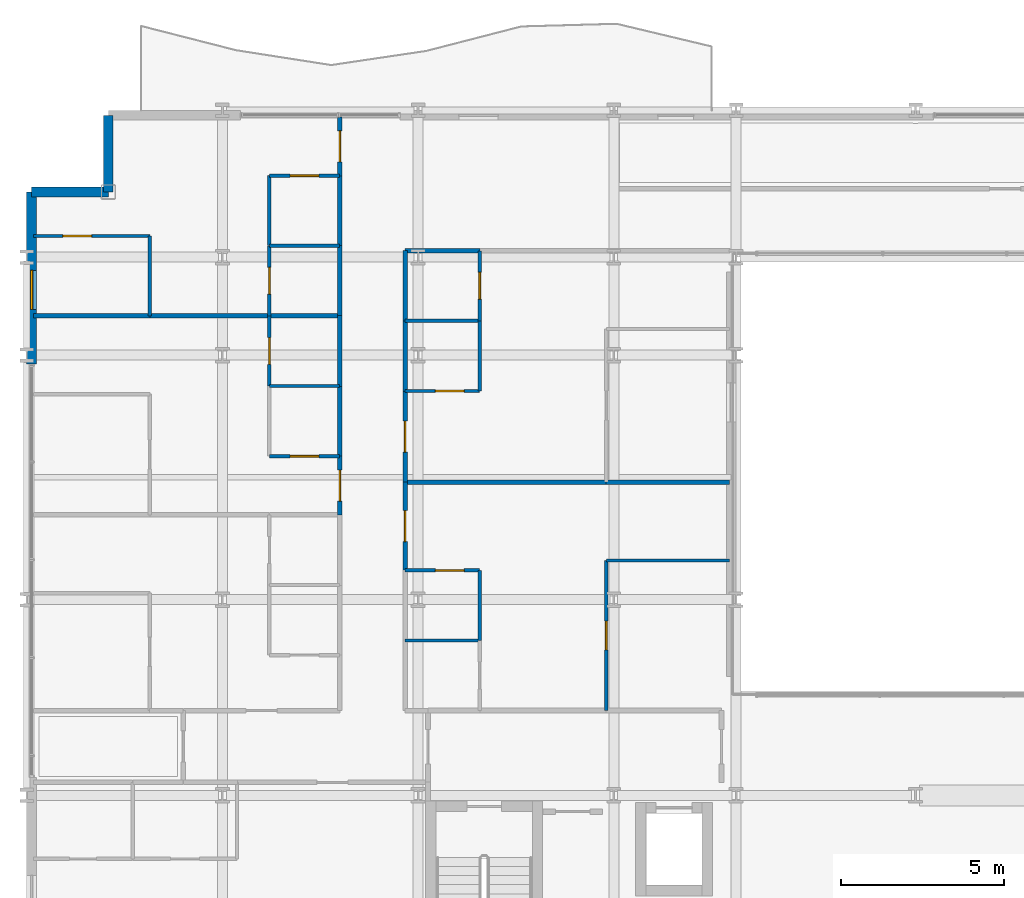
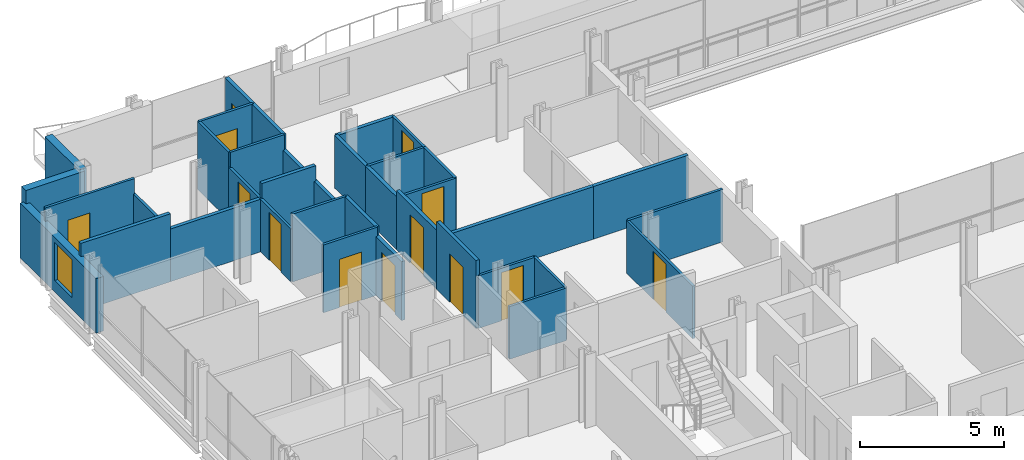
# One storey, part 33 of 40: 37 walls, 13 doors, 1 window, 14 openings.
"""IFC4 building model written with IfcOpenShell, lengths in metres."""

from ifc_helpers import new_model, si_unit, direction, frame, frame_2d, origin, place, context, subcontext, project, spatial, rectangle, extrude, material, layer, layer_set, type_object, element, fill, save


model = new_model("IFC4")

# Units and contexts
model_context = context("Model", 3, precision=1e-05, world=origin(), true_north=direction((0.0, 1.0)))
body_context = subcontext(model_context, "Body", "Model", "MODEL_VIEW")
ifc_project = project(units=[si_unit("LENGTHUNIT", "METRE"), si_unit("AREAUNIT", "SQUARE_METRE"), si_unit("VOLUMEUNIT", "CUBIC_METRE"), si_unit("PLANEANGLEUNIT", "RADIAN"), si_unit("MASSUNIT", "GRAM", prefix="KILO")], contexts=[model_context])

# Site, building, storey
site_placement = place(None, origin())
site = spatial("IfcSite", under=ifc_project, at=site_placement, CompositionType="ELEMENT")
building_placement = place(site_placement, origin())
building = spatial("IfcBuilding", under=site, at=building_placement, Name="Brevholm Reach", CompositionType="ELEMENT")
storey_placement = place(building_placement, frame((0.0, 0.0, 31.10009765625)))
storey = spatial("IfcBuildingStorey", under=building, at=storey_placement, Name="L07", CompositionType="ELEMENT", Elevation=31.10009765625)

# Walls
ifc_material_1 = material(Name="Concrete C40/50", Category="concrete")
ifc_layer_1 = layer(ifc_material_1, 0.300048828125)
ifc_layer_set_1 = layer_set([ifc_layer_1], Name="Concrete C40/50")
wall_type_1 = type_object("IfcWallType", Name="WAL-EXT-300", PredefinedType="STANDARD", material=ifc_layer_set_1)
for number, where, z_axis, x_axis, name in (
    (1, (2.5, 30.85009765625, 0.0), (0.0, 0.0, 1.0), (0.0, -1.0, 0.0), "L07 Facade Wall WAL-L07-CNW1"),
    (2, (2.5, 28.5, 0.0), (0.0, 0.0, 1.0), (-1.0, 0.0, 0.0), "L07 Facade Wall WAL-L07-CNW2"),
):
    element("IfcWall", number, at=place(storey_placement, frame(where, z_axis=z_axis, x_axis=x_axis)), inside=storey, type_object=wall_type_1, Name=name, PredefinedType="STANDARD", context=body_context, shape_type="SweptSolid", body=[
        extrude(rectangle(XDim=2.35009765625, YDim=0.300048828125, at=frame_2d((1.175048828125, 0.0))), origin(), (0.0, 0.0, 1.0), 2.869873046875),
    ])

# Wall, opening, window
wall_1_placement = place(storey_placement, frame((0.14990234375, 28.5, 0.0), z_axis=(0.0, 0.0, 1.0), x_axis=(0.0, -1.0, 0.0)))
wall_1 = element("IfcWall", 3, at=wall_1_placement, inside=storey, type_object=wall_type_1, Name="L07 Facade Wall WAL-L07-W-N", PredefinedType="STANDARD", context=body_context, shape_type="SweptSolid", body=[
    extrude(rectangle(XDim=5.280029296875, YDim=0.300048828125, at=frame_2d((2.64013671875, 0.0))), origin(), (0.0, 0.0, 1.0), 2.305419921875),
])
opening_1_placement = place(wall_1_placement, frame((2.39990234375, 0.0, 0.486083984375)))
opening_1 = element("IfcOpeningElement", 4, at=opening_1_placement, cuts=wall_1, Name="Opening WN-08", PredefinedType="OPENING", context=body_context, shape_type="SweptSolid", body=[
    extrude(rectangle(XDim=1.199951171875, YDim=1.60009765625, at=frame_2d((0.60009765625, 0.800048828125))), frame((0.0, 0.159912109375, 0.0), z_axis=(0.0, -1.0, 0.0), x_axis=(1.0, 0.0, 0.0)), (0.0, 0.0, 1.0), 0.320068359375),
])
ifc_material_2 = material(Name="Dark Anodised Aluminium and Solar-Control IGU Glass", Category="aluminium")
window_type = type_object("IfcWindowType", Name="WIN-RES-1200", PartitioningType="SINGLE_PANEL", PredefinedType="WINDOW", material=ifc_material_2)
window_placement = place(opening_1_placement, origin())
window = element("IfcWindow", 5, at=window_placement, inside=storey, type_object=window_type, Name="L07 Window WIN-L07-WN-1", OverallHeight=1.60009765625, OverallWidth=1.199951171875, PartitioningType="SINGLE_PANEL", PredefinedType="WINDOW", context=body_context, shape_type="SweptSolid", body=[
    extrude(rectangle(XDim=1.199951171875, YDim=1.60009765625, at=frame_2d((0.60009765625, 0.800048828125))), frame((0.0, 0.030029296875, 0.0), z_axis=(0.0, -1.0, 0.0), x_axis=(1.0, 0.0, 0.0)), (0.0, 0.0, 1.0), 0.06005859375),
])
fill(opening_1, window)

# Wall
ifc_material_3 = material(Name="Moisture-Resistant Acoustic Gypsum Stud Partition 100 mm", Category="gypsum")
ifc_layer_2 = layer(ifc_material_3, 0.10009765625)
ifc_layer_set_2 = layer_set([ifc_layer_2], Name="Moisture-Resistant Acoustic Gypsum Stud Partition 100 mm")
wall_type_2 = type_object("IfcWallType", Name="WAL-PRT-100", PredefinedType="PARTITIONING", material=ifc_layer_set_2)
wall_2_placement = place(storey_placement, frame((7.43798828125, 22.550048828125, 0.0), z_axis=(0.0, 0.0, 1.0), x_axis=(1.0, 0.0, 0.0)))
element("IfcWall", 6, at=wall_2_placement, inside=storey, type_object=wall_type_2, Name="L07 Internal Partition 100", PredefinedType="PARTITIONING", context=body_context, shape_type="SweptSolid", body=[
    extrude(rectangle(XDim=2.157958984375, YDim=0.10009765625, at=frame_2d((1.0791015625, 0.0))), origin(), (0.0, 0.0, 1.0), 2.869873046875),
])

# Wall, opening, door
wall_3_placement = place(storey_placement, frame((7.43798828125, 22.550048828125, 0.0), z_axis=(0.0, 0.0, 1.0), x_axis=(0.0, 1.0, 0.0)))
wall_3 = element("IfcWall", 7, at=wall_3_placement, inside=storey, type_object=wall_type_2, Name="L07 Internal Partition 101", PredefinedType="PARTITIONING", context=body_context, shape_type="SweptSolid", body=[
    extrude(rectangle(XDim=2.14990234375, YDim=0.10009765625, at=frame_2d((1.074951171875, 0.0))), origin(), (0.0, 0.0, 1.0), 2.224609375),
])
opening_2_placement = place(wall_3_placement, frame((0.6650390625, 0.0, 0.0)))
opening_2 = element("IfcOpeningElement", 8, at=opening_2_placement, cuts=wall_3, Name="Opening ID-03", PredefinedType="OPENING", context=body_context, shape_type="SweptSolid", body=[
    extrude(rectangle(XDim=0.820068359375, YDim=2.02001953125, at=frame_2d((0.41015625, 1.010009765625))), frame((0.0, 0.06005859375, 0.0), z_axis=(0.0, -1.0, 0.0), x_axis=(1.0, 0.0, 0.0)), (0.0, 0.0, 1.0), 0.1201171875),
])
ifc_material_4 = material(Name="Moisture-Resistant Painted Timber Internal Bathroom Door", Category="wood")
door_type_1 = type_object("IfcDoorType", Name="DOR-BATH-820", OperationType="NOTDEFINED", PredefinedType="DOOR", material=ifc_material_4)
door_1_placement = place(opening_2_placement, origin())
door_1 = element("IfcDoor", 9, at=door_1_placement, inside=storey, type_object=door_type_1, Name="L07 Internal Door 036", OperationType="SINGLE_SWING_LEFT", OverallHeight=2.02001953125, OverallWidth=0.820068359375, PredefinedType="DOOR", context=body_context, shape_type="SweptSolid", body=[
    extrude(rectangle(XDim=0.820068359375, YDim=2.02001953125, at=frame_2d((0.41015625, 1.010009765625))), frame((0.0, 0.02490234375, 0.0), z_axis=(0.0, -1.0, 0.0), x_axis=(1.0, 0.0, 0.0)), (0.0, 0.0, 1.0), 0.050048828125),
])
fill(opening_2, door_1)

wall_4_placement = place(storey_placement, frame((7.43798828125, 20.39990234375, 0.0), z_axis=(0.0, 0.0, 1.0), x_axis=(1.0, 0.0, 0.0)))
wall_4 = element("IfcWall", 10, at=wall_4_placement, inside=storey, type_object=wall_type_2, Name="L07 Internal Partition 103", PredefinedType="PARTITIONING", context=body_context, shape_type="SweptSolid", body=[
    extrude(rectangle(XDim=2.157958984375, YDim=0.10009765625, at=frame_2d((1.0791015625, 0.0))), origin(), (0.0, 0.0, 1.0), 2.869873046875),
])
opening_3_placement = place(wall_4_placement, frame((0.638916015625, 0.0, 0.0)))
opening_3 = element("IfcOpeningElement", 11, at=opening_3_placement, cuts=wall_4, Name="Opening ID-01", PredefinedType="OPENING", context=body_context, shape_type="SweptSolid", body=[
    extrude(rectangle(XDim=0.8798828125, YDim=2.0400390625, at=frame_2d((0.43994140625, 1.02001953125))), frame((0.0, 0.06005859375, 0.0), z_axis=(0.0, -1.0, 0.0), x_axis=(1.0, 0.0, 0.0)), (0.0, 0.0, 1.0), 0.1201171875),
])
ifc_material_5 = material(Name="Lacquered Ash Solid-Core Acoustic Internal Door", Category="timber")
door_type_2 = type_object("IfcDoorType", Name="DOR-INT-880", OperationType="NOTDEFINED", PredefinedType="DOOR", material=ifc_material_5)
door_2_placement = place(opening_3_placement, origin())
door_2 = element("IfcDoor", 12, at=door_2_placement, inside=storey, type_object=door_type_2, Name="L07 Internal Door 037", OperationType="SINGLE_SWING_RIGHT", OverallHeight=2.0400390625, OverallWidth=0.8798828125, PredefinedType="DOOR", context=body_context, shape_type="SweptSolid", body=[
    extrude(rectangle(XDim=0.8798828125, YDim=2.0400390625, at=frame_2d((0.43994140625, 1.02001953125))), frame((0.0, 0.02490234375, 0.0), z_axis=(0.0, -1.0, 0.0), x_axis=(1.0, 0.0, 0.0)), (0.0, 0.0, 1.0), 0.050048828125),
])
fill(opening_3, door_2)

# Wall
wall_5_placement = place(storey_placement, frame((7.43798828125, 26.85009765625, 0.0), z_axis=(0.0, 0.0, 1.0), x_axis=(1.0, 0.0, 0.0)))
element("IfcWall", 13, at=wall_5_placement, inside=storey, type_object=wall_type_2, Name="L07 Internal Partition 109", PredefinedType="PARTITIONING", context=body_context, shape_type="SweptSolid", body=[
    extrude(rectangle(XDim=2.157958984375, YDim=0.10009765625, at=frame_2d((1.0791015625, 0.0))), origin(), (0.0, 0.0, 1.0), 2.869873046875),
])

# Wall, opening, door
wall_6_placement = place(storey_placement, frame((7.43798828125, 24.7041015625, 0.0), z_axis=(0.0, 0.0, 1.0), x_axis=(0.0, 1.0, 0.0)))
wall_6 = element("IfcWall", 14, at=wall_6_placement, inside=storey, type_object=wall_type_2, Name="L07 Internal Partition 110", PredefinedType="PARTITIONING", context=body_context, shape_type="SweptSolid", body=[
    extrude(rectangle(XDim=2.14599609375, YDim=0.10009765625, at=frame_2d((1.072998046875, 0.0))), origin(), (0.0, 0.0, 1.0), 2.224609375),
])
opening_4_placement = place(wall_6_placement, frame((0.6630859375, 0.0, 0.0)))
opening_4 = element("IfcOpeningElement", 15, at=opening_4_placement, cuts=wall_6, Name="Opening ID-03", PredefinedType="OPENING", context=body_context, shape_type="SweptSolid", body=[
    extrude(rectangle(XDim=0.820068359375, YDim=2.02001953125, at=frame_2d((0.41015625, 1.010009765625))), frame((0.0, 0.06005859375, 0.0), z_axis=(0.0, -1.0, 0.0), x_axis=(1.0, 0.0, 0.0)), (0.0, 0.0, 1.0), 0.1201171875),
])
door_3_placement = place(opening_4_placement, origin())
door_3 = element("IfcDoor", 16, at=door_3_placement, inside=storey, type_object=door_type_1, Name="L07 Internal Door 039", OperationType="SINGLE_SWING_RIGHT", OverallHeight=2.02001953125, OverallWidth=0.820068359375, PredefinedType="DOOR", context=body_context, shape_type="SweptSolid", body=[
    extrude(rectangle(XDim=0.820068359375, YDim=2.02001953125, at=frame_2d((0.41015625, 1.010009765625))), frame((0.0, 0.02490234375, 0.0), z_axis=(0.0, -1.0, 0.0), x_axis=(1.0, 0.0, 0.0)), (0.0, 0.0, 1.0), 0.050048828125),
])
fill(opening_4, door_3)

wall_7_placement = place(storey_placement, frame((7.43798828125, 29.0, 0.0), z_axis=(0.0, 0.0, 1.0), x_axis=(1.0, 0.0, 0.0)))
wall_7 = element("IfcWall", 17, at=wall_7_placement, inside=storey, type_object=wall_type_2, Name="L07 Internal Partition 111", PredefinedType="PARTITIONING", context=body_context, shape_type="SweptSolid", body=[
    extrude(rectangle(XDim=2.157958984375, YDim=0.10009765625, at=frame_2d((1.0791015625, 0.0))), origin(), (0.0, 0.0, 1.0), 2.869873046875),
])
opening_5_placement = place(wall_7_placement, frame((0.638916015625, 0.0, 0.0)))
opening_5 = element("IfcOpeningElement", 18, at=opening_5_placement, cuts=wall_7, Name="Opening ID-01", PredefinedType="OPENING", context=body_context, shape_type="SweptSolid", body=[
    extrude(rectangle(XDim=0.8798828125, YDim=2.0400390625, at=frame_2d((0.43994140625, 1.02001953125))), frame((0.0, 0.06005859375, 0.0), z_axis=(0.0, -1.0, 0.0), x_axis=(1.0, 0.0, 0.0)), (0.0, 0.0, 1.0), 0.1201171875),
])
door_4_placement = place(opening_5_placement, origin())
door_4 = element("IfcDoor", 19, at=door_4_placement, inside=storey, type_object=door_type_2, Name="L07 Internal Door 040", OperationType="SINGLE_SWING_LEFT", OverallHeight=2.0400390625, OverallWidth=0.8798828125, PredefinedType="DOOR", context=body_context, shape_type="SweptSolid", body=[
    extrude(rectangle(XDim=0.8798828125, YDim=2.0400390625, at=frame_2d((0.43994140625, 1.02001953125))), frame((0.0, 0.02490234375, 0.0), z_axis=(0.0, -1.0, 0.0), x_axis=(1.0, 0.0, 0.0)), (0.0, 0.0, 1.0), 0.050048828125),
])
fill(opening_5, door_4)

# Walls
wall_8_placement = place(storey_placement, frame((7.43798828125, 26.85400390625, 0.0), z_axis=(0.0, 0.0, 1.0), x_axis=(0.0, 1.0, 0.0)))
element("IfcWall", 20, at=wall_8_placement, inside=storey, type_object=wall_type_2, Name="L07 Internal Partition 112", PredefinedType="PARTITIONING", context=body_context, shape_type="SweptSolid", body=[
    extrude(rectangle(XDim=2.14599609375, YDim=0.10009765625, at=frame_2d((1.072998046875, 0.0))), origin(), (0.0, 0.0, 1.0), 2.869873046875),
])
wall_9_placement = place(storey_placement, frame((3.77197265625, 24.7041015625, 0.0), z_axis=(0.0, 0.0, 1.0), x_axis=(0.0, 1.0, 0.0)))
element("IfcWall", 21, at=wall_9_placement, inside=storey, type_object=wall_type_2, Name="L07 Internal Partition 113", PredefinedType="PARTITIONING", context=body_context, shape_type="SweptSolid", body=[
    extrude(rectangle(XDim=2.44580078125, YDim=0.10009765625, at=frame_2d((1.222900390625, 0.0))), origin(), (0.0, 0.0, 1.0), 2.224609375),
])

# Wall, opening, door
wall_10_placement = place(storey_placement, frame((0.199951171875, 27.14990234375, 0.0), z_axis=(0.0, 0.0, 1.0), x_axis=(1.0, 0.0, 0.0)))
wall_10 = element("IfcWall", 22, at=wall_10_placement, inside=storey, type_object=wall_type_2, Name="L07 Internal Partition 114", PredefinedType="PARTITIONING", context=body_context, shape_type="SweptSolid", body=[
    extrude(rectangle(XDim=3.572021484375, YDim=0.10009765625, at=frame_2d((1.7861328125, 0.0))), origin(), (0.0, 0.0, 1.0), 2.869873046875),
])
opening_6_placement = place(wall_10_placement, frame((0.906005859375, 0.0, 0.0)))
opening_6 = element("IfcOpeningElement", 23, at=opening_6_placement, cuts=wall_10, Name="Opening ID-01", PredefinedType="OPENING", context=body_context, shape_type="SweptSolid", body=[
    extrude(rectangle(XDim=0.8798828125, YDim=2.0400390625, at=frame_2d((0.43994140625, 1.02001953125))), frame((0.0, 0.06005859375, 0.0), z_axis=(0.0, -1.0, 0.0), x_axis=(1.0, 0.0, 0.0)), (0.0, 0.0, 1.0), 0.1201171875),
])
door_5_placement = place(opening_6_placement, origin())
door_5 = element("IfcDoor", 24, at=door_5_placement, inside=storey, type_object=door_type_2, Name="L07 Internal Door 041", OperationType="SINGLE_SWING_RIGHT", OverallHeight=2.0400390625, OverallWidth=0.8798828125, PredefinedType="DOOR", context=body_context, shape_type="SweptSolid", body=[
    extrude(rectangle(XDim=0.8798828125, YDim=2.0400390625, at=frame_2d((0.43994140625, 1.02001953125))), frame((0.0, 0.02490234375, 0.0), z_axis=(0.0, -1.0, 0.0), x_axis=(1.0, 0.0, 0.0)), (0.0, 0.0, 1.0), 0.050048828125),
])
fill(opening_6, door_5)

# Walls
wall_11_placement = place(storey_placement, frame((11.60400390625, 14.75, 0.0), z_axis=(0.0, 0.0, 1.0), x_axis=(1.0, 0.0, 0.0)))
element("IfcWall", 25, at=wall_11_placement, inside=storey, type_object=wall_type_2, Name="L07 Internal Partition 115", PredefinedType="PARTITIONING", context=body_context, shape_type="SweptSolid", body=[
    extrude(rectangle(XDim=2.284912109375, YDim=0.10009765625, at=frame_2d((1.142578125, 0.0))), origin(), (0.0, 0.0, 1.0), 2.224609375),
])
wall_12_placement = place(storey_placement, frame((13.888916015625, 14.75390625, 0.0), z_axis=(0.0, 0.0, 1.0), x_axis=(0.0, 1.0, 0.0)))
element("IfcWall", 26, at=wall_12_placement, inside=storey, type_object=wall_type_2, Name="L07 Internal Partition 117", PredefinedType="PARTITIONING", context=body_context, shape_type="SweptSolid", body=[
    extrude(rectangle(XDim=2.14599609375, YDim=0.10009765625, at=frame_2d((1.072998046875, 0.0))), origin(), (0.0, 0.0, 1.0), 2.224609375),
])

# Wall, opening, door
wall_13_placement = place(storey_placement, frame((11.60400390625, 16.89990234375, 0.0), z_axis=(0.0, 0.0, 1.0), x_axis=(1.0, 0.0, 0.0)))
wall_13 = element("IfcWall", 27, at=wall_13_placement, inside=storey, type_object=wall_type_2, Name="L07 Internal Partition 118", PredefinedType="PARTITIONING", context=body_context, shape_type="SweptSolid", body=[
    extrude(rectangle(XDim=2.284912109375, YDim=0.10009765625, at=frame_2d((1.142578125, 0.0))), origin(), (0.0, 0.0, 1.0), 2.224609375),
])
opening_7_placement = place(wall_13_placement, frame((0.922607421875, 0.0, 0.0)))
opening_7 = element("IfcOpeningElement", 28, at=opening_7_placement, cuts=wall_13, Name="Opening ID-01", PredefinedType="OPENING", context=body_context, shape_type="SweptSolid", body=[
    extrude(rectangle(XDim=0.8798828125, YDim=2.0400390625, at=frame_2d((0.43994140625, 1.02001953125))), frame((0.0, 0.06005859375, 0.0), z_axis=(0.0, -1.0, 0.0), x_axis=(1.0, 0.0, 0.0)), (0.0, 0.0, 1.0), 0.1201171875),
])
door_6_placement = place(opening_7_placement, origin())
door_6 = element("IfcDoor", 29, at=door_6_placement, inside=storey, type_object=door_type_2, Name="L07 Internal Door 043", OperationType="SINGLE_SWING_RIGHT", OverallHeight=2.0400390625, OverallWidth=0.8798828125, PredefinedType="DOOR", context=body_context, shape_type="SweptSolid", body=[
    extrude(rectangle(XDim=0.8798828125, YDim=2.0400390625, at=frame_2d((0.43994140625, 1.02001953125))), frame((0.0, 0.02490234375, 0.0), z_axis=(0.0, -1.0, 0.0), x_axis=(1.0, 0.0, 0.0)), (0.0, 0.0, 1.0), 0.050048828125),
])
fill(opening_7, door_6)

# Wall
wall_14_placement = place(storey_placement, frame((17.76904296875, 17.199951171875, 0.0), z_axis=(0.0, 0.0, 1.0), x_axis=(1.0, 0.0, 0.0)))
element("IfcWall", 30, at=wall_14_placement, inside=storey, type_object=wall_type_2, Name="L07 Internal Partition 119", PredefinedType="PARTITIONING", context=body_context, shape_type="SweptSolid", body=[
    extrude(rectangle(XDim=3.781005859375, YDim=0.10009765625, at=frame_2d((1.890625, 0.0))), origin(), (0.0, 0.0, 1.0), 2.224609375),
])

# Wall, opening, door
wall_15_placement = place(storey_placement, frame((17.76904296875, 12.60400390625, 0.0), z_axis=(0.0, 0.0, 1.0), x_axis=(0.0, 1.0, 0.0)))
wall_15 = element("IfcWall", 31, at=wall_15_placement, inside=storey, type_object=wall_type_2, Name="L07 Internal Partition 120", PredefinedType="PARTITIONING", context=body_context, shape_type="SweptSolid", body=[
    extrude(rectangle(XDim=4.595947265625, YDim=0.10009765625, at=frame_2d((2.2978515625, 0.0))), origin(), (0.0, 0.0, 1.0), 2.224609375),
])
opening_8_placement = place(wall_15_placement, frame((1.85791015625, 0.0, 0.0)))
opening_8 = element("IfcOpeningElement", 32, at=opening_8_placement, cuts=wall_15, Name="Opening ID-01", PredefinedType="OPENING", context=body_context, shape_type="SweptSolid", body=[
    extrude(rectangle(XDim=0.8798828125, YDim=2.0400390625, at=frame_2d((0.43994140625, 1.02001953125))), frame((0.0, 0.06005859375, 0.0), z_axis=(0.0, -1.0, 0.0), x_axis=(1.0, 0.0, 0.0)), (0.0, 0.0, 1.0), 0.1201171875),
])
door_7_placement = place(opening_8_placement, origin())
door_7 = element("IfcDoor", 33, at=door_7_placement, inside=storey, type_object=door_type_2, Name="L07 Internal Door 044", OperationType="SINGLE_SWING_LEFT", OverallHeight=2.0400390625, OverallWidth=0.8798828125, PredefinedType="DOOR", context=body_context, shape_type="SweptSolid", body=[
    extrude(rectangle(XDim=0.8798828125, YDim=2.0400390625, at=frame_2d((0.43994140625, 1.02001953125))), frame((0.0, 0.02490234375, 0.0), z_axis=(0.0, -1.0, 0.0), x_axis=(1.0, 0.0, 0.0)), (0.0, 0.0, 1.0), 0.050048828125),
])
fill(opening_8, door_7)

# Wall
wall_16_placement = place(storey_placement, frame((11.60400390625, 24.550048828125, 0.0), z_axis=(0.0, 0.0, 1.0), x_axis=(1.0, 0.0, 0.0)))
element("IfcWall", 34, at=wall_16_placement, inside=storey, type_object=wall_type_2, Name="L07 Internal Partition 123", PredefinedType="PARTITIONING", context=body_context, shape_type="SweptSolid", body=[
    extrude(rectangle(XDim=2.284912109375, YDim=0.10009765625, at=frame_2d((1.142578125, 0.0))), origin(), (0.0, 0.0, 1.0), 2.224609375),
])

# Wall, opening, door
wall_17_placement = place(storey_placement, frame((13.888916015625, 24.550048828125, 0.0), z_axis=(0.0, 0.0, 1.0), x_axis=(0.0, 1.0, 0.0)))
wall_17 = element("IfcWall", 35, at=wall_17_placement, inside=storey, type_object=wall_type_2, Name="L07 Internal Partition 124", PredefinedType="PARTITIONING", context=body_context, shape_type="SweptSolid", body=[
    extrude(rectangle(XDim=2.14599609375, YDim=0.10009765625, at=frame_2d((1.072998046875, 0.0))), origin(), (0.0, 0.0, 1.0), 2.224609375),
])
opening_9_placement = place(wall_17_placement, frame((0.6630859375, 0.0, 0.0)))
opening_9 = element("IfcOpeningElement", 36, at=opening_9_placement, cuts=wall_17, Name="Opening ID-03", PredefinedType="OPENING", context=body_context, shape_type="SweptSolid", body=[
    extrude(rectangle(XDim=0.820068359375, YDim=2.02001953125, at=frame_2d((0.41015625, 1.010009765625))), frame((0.0, 0.06005859375, 0.0), z_axis=(0.0, -1.0, 0.0), x_axis=(1.0, 0.0, 0.0)), (0.0, 0.0, 1.0), 0.1201171875),
])
door_8_placement = place(opening_9_placement, origin())
door_8 = element("IfcDoor", 37, at=door_8_placement, inside=storey, type_object=door_type_1, Name="L07 Internal Door 045", OperationType="SINGLE_SWING_RIGHT", OverallHeight=2.02001953125, OverallWidth=0.820068359375, PredefinedType="DOOR", context=body_context, shape_type="SweptSolid", body=[
    extrude(rectangle(XDim=0.820068359375, YDim=2.02001953125, at=frame_2d((0.41015625, 1.010009765625))), frame((0.0, 0.02490234375, 0.0), z_axis=(0.0, -1.0, 0.0), x_axis=(1.0, 0.0, 0.0)), (0.0, 0.0, 1.0), 0.050048828125),
])
fill(opening_9, door_8)

wall_18_placement = place(storey_placement, frame((11.60400390625, 22.39990234375, 0.0), z_axis=(0.0, 0.0, 1.0), x_axis=(1.0, 0.0, 0.0)))
wall_18 = element("IfcWall", 38, at=wall_18_placement, inside=storey, type_object=wall_type_2, Name="L07 Internal Partition 125", PredefinedType="PARTITIONING", context=body_context, shape_type="SweptSolid", body=[
    extrude(rectangle(XDim=2.284912109375, YDim=0.10009765625, at=frame_2d((1.142578125, 0.0))), origin(), (0.0, 0.0, 1.0), 2.224609375),
])
opening_10_placement = place(wall_18_placement, frame((0.922607421875, 0.0, 0.0)))
opening_10 = element("IfcOpeningElement", 39, at=opening_10_placement, cuts=wall_18, Name="Opening ID-01", PredefinedType="OPENING", context=body_context, shape_type="SweptSolid", body=[
    extrude(rectangle(XDim=0.8798828125, YDim=2.0400390625, at=frame_2d((0.43994140625, 1.02001953125))), frame((0.0, 0.06005859375, 0.0), z_axis=(0.0, -1.0, 0.0), x_axis=(1.0, 0.0, 0.0)), (0.0, 0.0, 1.0), 0.1201171875),
])
door_9_placement = place(opening_10_placement, origin())
door_9 = element("IfcDoor", 40, at=door_9_placement, inside=storey, type_object=door_type_2, Name="L07 Internal Door 046", OperationType="SINGLE_SWING_LEFT", OverallHeight=2.0400390625, OverallWidth=0.8798828125, PredefinedType="DOOR", context=body_context, shape_type="SweptSolid", body=[
    extrude(rectangle(XDim=0.8798828125, YDim=2.0400390625, at=frame_2d((0.43994140625, 1.02001953125))), frame((0.0, 0.02490234375, 0.0), z_axis=(0.0, -1.0, 0.0), x_axis=(1.0, 0.0, 0.0)), (0.0, 0.0, 1.0), 0.050048828125),
])
fill(opening_10, door_9)

# Walls
wall_19_placement = place(storey_placement, frame((13.888916015625, 22.39990234375, 0.0), z_axis=(0.0, 0.0, 1.0), x_axis=(0.0, 1.0, 0.0)))
element("IfcWall", 41, at=wall_19_placement, inside=storey, type_object=wall_type_2, Name="L07 Internal Partition 126", PredefinedType="PARTITIONING", context=body_context, shape_type="SweptSolid", body=[
    extrude(rectangle(XDim=2.14599609375, YDim=0.10009765625, at=frame_2d((1.072998046875, 0.0))), origin(), (0.0, 0.0, 1.0), 2.224609375),
])
ifc_material_6 = material(Name="Twin-Stud Acoustic Fire-Rated Gypsum Partition 140 mm", Category="gypsum")
ifc_layer_3 = layer(ifc_material_6, 0.139892578125)
ifc_layer_set_3 = layer_set([ifc_layer_3], Name="Twin-Stud Acoustic Fire-Rated Gypsum Partition 140 mm")
wall_type_3 = type_object("IfcWallType", Name="WAL-PRT-140", PredefinedType="PARTITIONING", material=ifc_layer_set_3)
wall_20_placement = place(storey_placement, frame((9.60009765625, 22.538818359375, 0.0), z_axis=(0.0, 0.0, 1.0), x_axis=(0.0, 1.0, 0.0)))
element("IfcWall", 42, at=wall_20_placement, inside=storey, type_object=wall_type_3, Name="L07 Internal Partition 038", PredefinedType="PARTITIONING", context=body_context, shape_type="SweptSolid", body=[
    extrude(rectangle(XDim=2.17236328125, YDim=0.139892578125, at=frame_2d((1.086181640625, 0.0))), origin(), (0.0, 0.0, 1.0), 2.224609375),
])
wall_21_placement = place(storey_placement, frame((9.60009765625, 20.388671875, 0.0), z_axis=(0.0, 0.0, 1.0), x_axis=(0.0, 1.0, 0.0)))
element("IfcWall", 43, at=wall_21_placement, inside=storey, type_object=wall_type_3, Name="L07 Internal Partition 039", PredefinedType="PARTITIONING", context=body_context, shape_type="SweptSolid", body=[
    extrude(rectangle(XDim=2.168701171875, YDim=0.139892578125, at=frame_2d((1.08447265625, 0.0))), origin(), (0.0, 0.0, 1.0), 2.869873046875),
])

# Wall, opening, door
wall_22_placement = place(storey_placement, frame((9.60009765625, 18.5927734375, 0.0), z_axis=(0.0, 0.0, 1.0), x_axis=(0.0, 1.0, 0.0)))
wall_22 = element("IfcWall", 44, at=wall_22_placement, inside=storey, type_object=wall_type_3, Name="L07 Internal Partition 040", PredefinedType="PARTITIONING", context=body_context, shape_type="SweptSolid", body=[
    extrude(rectangle(XDim=1.814453125, YDim=0.139892578125, at=frame_2d((0.9072265625, 0.0))), origin(), (0.0, 0.0, 1.0), 2.489990234375),
])
opening_11_placement = place(wall_22_placement, frame((0.432373046875, 0.0, 0.0)))
opening_11 = element("IfcOpeningElement", 45, at=opening_11_placement, cuts=wall_22, Name="Opening ID-30", PredefinedType="OPENING", context=body_context, shape_type="SweptSolid", body=[
    extrude(rectangle(XDim=0.949951171875, YDim=2.050048828125, at=frame_2d((0.47509765625, 1.02490234375))), frame((0.0, 0.079833984375, 0.0), z_axis=(0.0, -1.0, 0.0), x_axis=(1.0, 0.0, 0.0)), (0.0, 0.0, 1.0), 0.159912109375),
])
ifc_material_7 = material(Name="European Oak Veneered Solid-Core Fire Entrance Door", Category="timber")
door_type_3 = type_object("IfcDoorType", Name="DOR-FLT-FD30S", OperationType="NOTDEFINED", PredefinedType="DOOR", material=ifc_material_7)
door_10_placement = place(opening_11_placement, origin())
door_10 = element("IfcDoor", 46, at=door_10_placement, inside=storey, type_object=door_type_3, Name="L07 Internal Door 018", OperationType="SINGLE_SWING_LEFT", OverallHeight=2.050048828125, OverallWidth=0.949951171875, PredefinedType="DOOR", context=body_context, shape_type="SweptSolid", body=[
    extrude(rectangle(XDim=0.949951171875, YDim=2.050048828125, at=frame_2d((0.47509765625, 1.02490234375))), frame((0.0, 0.02490234375, 0.0), z_axis=(0.0, -1.0, 0.0), x_axis=(1.0, 0.0, 0.0)), (0.0, 0.0, 1.0), 0.050048828125),
])
fill(opening_11, door_10)

# Walls
wall_23_placement = place(storey_placement, frame((9.60009765625, 24.692626953125, 0.0), z_axis=(0.0, 0.0, 1.0), x_axis=(0.0, 1.0, 0.0)))
element("IfcWall", 47, at=wall_23_placement, inside=storey, type_object=wall_type_3, Name="L07 Internal Partition 041", PredefinedType="PARTITIONING", context=body_context, shape_type="SweptSolid", body=[
    extrude(rectangle(XDim=2.168701171875, YDim=0.139892578125, at=frame_2d((1.08447265625, 0.0))), origin(), (0.0, 0.0, 1.0), 2.224609375),
])
wall_24_placement = place(storey_placement, frame((9.60009765625, 26.8427734375, 0.0), z_axis=(0.0, 0.0, 1.0), x_axis=(0.0, 1.0, 0.0)))
element("IfcWall", 48, at=wall_24_placement, inside=storey, type_object=wall_type_3, Name="L07 Internal Partition 042", PredefinedType="PARTITIONING", context=body_context, shape_type="SweptSolid", body=[
    extrude(rectangle(XDim=2.16845703125, YDim=0.139892578125, at=frame_2d((1.084228515625, 0.0))), origin(), (0.0, 0.0, 1.0), 2.869873046875),
])

# Wall, opening, door
wall_25_placement = place(storey_placement, frame((9.60009765625, 28.99267578125, 0.0), z_axis=(0.0, 0.0, 1.0), x_axis=(0.0, 1.0, 0.0)))
wall_25 = element("IfcWall", 49, at=wall_25_placement, inside=storey, type_object=wall_type_3, Name="L07 Internal Partition 043", PredefinedType="PARTITIONING", context=body_context, shape_type="SweptSolid", body=[
    extrude(rectangle(XDim=1.807373046875, YDim=0.139892578125, at=frame_2d((0.90380859375, 0.0))), origin(), (0.0, 0.0, 1.0), 2.869873046875),
])
opening_12_placement = place(wall_25_placement, frame((0.4287109375, 0.0, 0.0)))
opening_12 = element("IfcOpeningElement", 50, at=opening_12_placement, cuts=wall_25, Name="Opening ID-30", PredefinedType="OPENING", context=body_context, shape_type="SweptSolid", body=[
    extrude(rectangle(XDim=0.949951171875, YDim=2.050048828125, at=frame_2d((0.47509765625, 1.02490234375))), frame((0.0, 0.079833984375, 0.0), z_axis=(0.0, -1.0, 0.0), x_axis=(1.0, 0.0, 0.0)), (0.0, 0.0, 1.0), 0.159912109375),
])
door_11_placement = place(opening_12_placement, origin())
door_11 = element("IfcDoor", 51, at=door_11_placement, inside=storey, type_object=door_type_3, Name="L07 Internal Door 019", OperationType="SINGLE_SWING_RIGHT", OverallHeight=2.050048828125, OverallWidth=0.949951171875, PredefinedType="DOOR", context=body_context, shape_type="SweptSolid", body=[
    extrude(rectangle(XDim=0.949951171875, YDim=2.050048828125, at=frame_2d((0.47509765625, 1.02490234375))), frame((0.0, 0.02490234375, 0.0), z_axis=(0.0, -1.0, 0.0), x_axis=(1.0, 0.0, 0.0)), (0.0, 0.0, 1.0), 0.050048828125),
])
fill(opening_12, door_11)

wall_26_placement = place(storey_placement, frame((11.60009765625, 16.892578125, 0.0), z_axis=(0.0, 0.0, 1.0), x_axis=(0.0, 1.0, 0.0)))
wall_26 = element("IfcWall", 52, at=wall_26_placement, inside=storey, type_object=wall_type_3, Name="L07 Internal Partition 046", PredefinedType="PARTITIONING", context=body_context, shape_type="SweptSolid", body=[
    extrude(rectangle(XDim=2.71875, YDim=0.139892578125, at=frame_2d((1.359375, 0.0))), origin(), (0.0, 0.0, 1.0), 2.869873046875),
])
opening_13_placement = place(wall_26_placement, frame((0.88427734375, 0.0, 0.0)))
opening_13 = element("IfcOpeningElement", 53, at=opening_13_placement, cuts=wall_26, Name="Opening ID-30", PredefinedType="OPENING", context=body_context, shape_type="SweptSolid", body=[
    extrude(rectangle(XDim=0.949951171875, YDim=2.050048828125, at=frame_2d((0.47509765625, 1.02490234375))), frame((0.0, 0.079833984375, 0.0), z_axis=(0.0, -1.0, 0.0), x_axis=(1.0, 0.0, 0.0)), (0.0, 0.0, 1.0), 0.159912109375),
])
door_12_placement = place(opening_13_placement, origin())
door_12 = element("IfcDoor", 54, at=door_12_placement, inside=storey, type_object=door_type_3, Name="L07 Internal Door 020", OperationType="SINGLE_SWING_LEFT", OverallHeight=2.050048828125, OverallWidth=0.949951171875, PredefinedType="DOOR", context=body_context, shape_type="SweptSolid", body=[
    extrude(rectangle(XDim=0.949951171875, YDim=2.050048828125, at=frame_2d((0.47509765625, 1.02490234375))), frame((0.0, 0.02490234375, 0.0), z_axis=(0.0, -1.0, 0.0), x_axis=(1.0, 0.0, 0.0)), (0.0, 0.0, 1.0), 0.050048828125),
])
fill(opening_13, door_12)

# Walls
wall_27_placement = place(storey_placement, frame((11.60009765625, 24.538818359375, 0.0), z_axis=(0.0, 0.0, 1.0), x_axis=(0.0, 1.0, 0.0)))
element("IfcWall", 55, at=wall_27_placement, inside=storey, type_object=wall_type_3, Name="L07 Internal Partition 047", PredefinedType="PARTITIONING", context=body_context, shape_type="SweptSolid", body=[
    extrude(rectangle(XDim=2.16845703125, YDim=0.139892578125, at=frame_2d((1.084228515625, 0.0))), origin(), (0.0, 0.0, 1.0), 2.224609375),
])
wall_28_placement = place(storey_placement, frame((11.60009765625, 22.388671875, 0.0), z_axis=(0.0, 0.0, 1.0), x_axis=(0.0, 1.0, 0.0)))
element("IfcWall", 56, at=wall_28_placement, inside=storey, type_object=wall_type_3, Name="L07 Internal Partition 048", PredefinedType="PARTITIONING", context=body_context, shape_type="SweptSolid", body=[
    extrude(rectangle(XDim=2.168701171875, YDim=0.139892578125, at=frame_2d((1.08447265625, 0.0))), origin(), (0.0, 0.0, 1.0), 2.224609375),
])

# Wall, opening, door
wall_29_placement = place(storey_placement, frame((11.60009765625, 19.5927734375, 0.0), z_axis=(0.0, 0.0, 1.0), x_axis=(0.0, 1.0, 0.0)))
wall_29 = element("IfcWall", 57, at=wall_29_placement, inside=storey, type_object=wall_type_3, Name="L07 Internal Partition 049", PredefinedType="PARTITIONING", context=body_context, shape_type="SweptSolid", body=[
    extrude(rectangle(XDim=2.814453125, YDim=0.139892578125, at=frame_2d((1.4072265625, 0.0))), origin(), (0.0, 0.0, 1.0), 2.489990234375),
])
opening_14_placement = place(wall_29_placement, frame((0.932373046875, 0.0, 0.0)))
opening_14 = element("IfcOpeningElement", 58, at=opening_14_placement, cuts=wall_29, Name="Opening ID-30", PredefinedType="OPENING", context=body_context, shape_type="SweptSolid", body=[
    extrude(rectangle(XDim=0.949951171875, YDim=2.050048828125, at=frame_2d((0.47509765625, 1.02490234375))), frame((0.0, 0.079833984375, 0.0), z_axis=(0.0, -1.0, 0.0), x_axis=(1.0, 0.0, 0.0)), (0.0, 0.0, 1.0), 0.159912109375),
])
door_13_placement = place(opening_14_placement, origin())
door_13 = element("IfcDoor", 59, at=door_13_placement, inside=storey, type_object=door_type_3, Name="L07 Internal Door 021", OperationType="SINGLE_SWING_RIGHT", OverallHeight=2.050048828125, OverallWidth=0.949951171875, PredefinedType="DOOR", context=body_context, shape_type="SweptSolid", body=[
    extrude(rectangle(XDim=0.949951171875, YDim=2.050048828125, at=frame_2d((0.47509765625, 1.02490234375))), frame((0.0, 0.02490234375, 0.0), z_axis=(0.0, -1.0, 0.0), x_axis=(1.0, 0.0, 0.0)), (0.0, 0.0, 1.0), 0.050048828125),
])
fill(opening_14, door_13)

# Walls
wall_30_placement = place(storey_placement, frame((11.60400390625, 26.699951171875, 0.0), z_axis=(0.0, 0.0, 1.0), x_axis=(1.0, 0.0, 0.0)))
element("IfcWall", 60, at=wall_30_placement, inside=storey, type_object=wall_type_3, Name="L07 Internal Partition 065", PredefinedType="PARTITIONING", context=body_context, shape_type="SweptSolid", body=[
    extrude(rectangle(XDim=2.29638671875, YDim=0.139892578125, at=frame_2d((1.148193359375, 0.0))), origin(), (0.0, 0.0, 1.0), 2.224609375),
])
wall_31_placement = place(storey_placement, frame((7.43798828125, 24.699951171875, 0.0), z_axis=(0.0, 0.0, 1.0), x_axis=(1.0, 0.0, 0.0)))
element("IfcWall", 61, at=wall_31_placement, inside=storey, type_object=wall_type_3, Name="L07 Internal Partition 102", PredefinedType="PARTITIONING", context=body_context, shape_type="SweptSolid", body=[
    extrude(rectangle(XDim=2.157958984375, YDim=0.139892578125, at=frame_2d((1.0791015625, 0.0))), origin(), (0.0, 0.0, 1.0), 2.869873046875),
])
wall_32_placement = place(storey_placement, frame((0.199951171875, 24.699951171875, 0.0), z_axis=(0.0, 0.0, 1.0), x_axis=(1.0, 0.0, 0.0)))
element("IfcWall", 62, at=wall_32_placement, inside=storey, type_object=wall_type_3, Name="L07 Internal Partition 107", PredefinedType="PARTITIONING", context=body_context, shape_type="SweptSolid", body=[
    extrude(rectangle(XDim=3.583251953125, YDim=0.139892578125, at=frame_2d((1.79150390625, 0.0))), origin(), (0.0, 0.0, 1.0), 2.869873046875),
])
wall_33_placement = place(storey_placement, frame((3.7646484375, 24.699951171875, 0.0), z_axis=(0.0, 0.0, 1.0), x_axis=(1.0, 0.0, 0.0)))
element("IfcWall", 63, at=wall_33_placement, inside=storey, type_object=wall_type_3, Name="L07 Internal Partition 108", PredefinedType="PARTITIONING", context=body_context, shape_type="SweptSolid", body=[
    extrude(rectangle(XDim=3.66943359375, YDim=0.139892578125, at=frame_2d((1.834716796875, 0.0))), origin(), (0.0, 0.0, 1.0), 2.224609375),
])
wall_34_placement = place(storey_placement, frame((17.7578125, 19.60009765625, 0.0), z_axis=(0.0, 0.0, 1.0), x_axis=(1.0, 0.0, 0.0)))
element("IfcWall", 64, at=wall_34_placement, inside=storey, type_object=wall_type_3, Name="L07 Internal Partition 121", PredefinedType="PARTITIONING", context=body_context, shape_type="SweptSolid", body=[
    extrude(rectangle(XDim=3.792236328125, YDim=0.139892578125, at=frame_2d((1.89599609375, 0.0))), origin(), (0.0, 0.0, 1.0), 2.224609375),
])
wall_35_placement = place(storey_placement, frame((11.60400390625, 19.60009765625, 0.0), z_axis=(0.0, 0.0, 1.0), x_axis=(1.0, 0.0, 0.0)))
element("IfcWall", 65, at=wall_35_placement, inside=storey, type_object=wall_type_3, Name="L07 Internal Partition 122", PredefinedType="PARTITIONING", context=body_context, shape_type="SweptSolid", body=[
    extrude(rectangle(XDim=6.17236328125, YDim=0.139892578125, at=frame_2d((3.086181640625, 0.0))), origin(), (0.0, 0.0, 1.0), 2.224609375),
])

save(model, "model.ifc")
